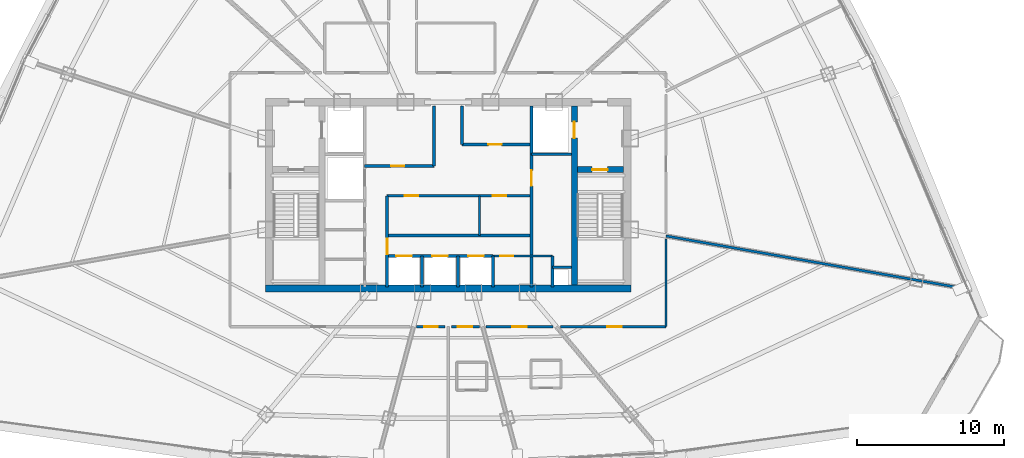
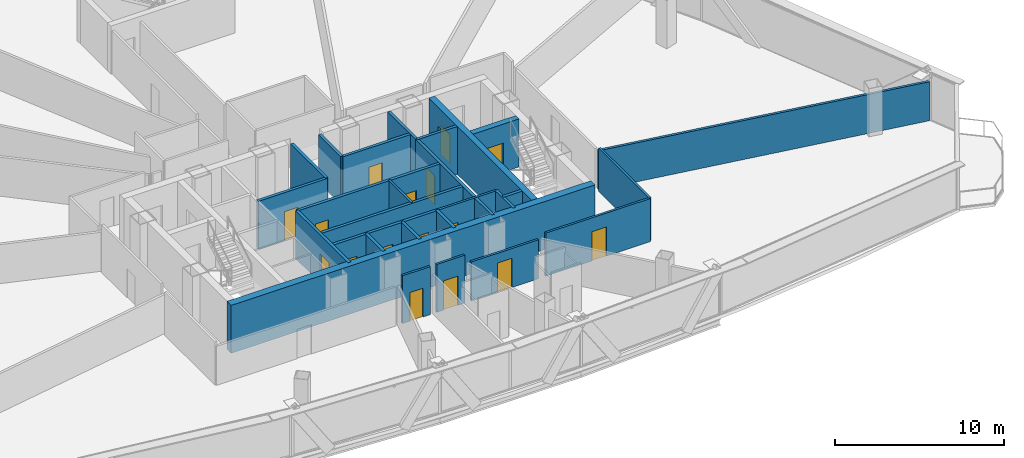
# One storey, part 29 of 35: 27 walls, 16 doors, 16 openings.
"""IFC4 building model written with IfcOpenShell, lengths in metres."""

from ifc_helpers import new_model, si_unit, direction, frame, frame_2d, origin, origin_with_axes, place, context, subcontext, project, spatial, rectangle, extrude, source, transform, mapped, material, layer, layer_set, type_object, element, fill, save


model = new_model("IFC4")

# Units and contexts
model_context = context("Model", 3, precision=1e-05, world=origin(), true_north=direction((0.0, 1.0)))
body_context = subcontext(model_context, "Body", "Model", "MODEL_VIEW")
ifc_project = project(units=[si_unit("LENGTHUNIT", "METRE"), si_unit("AREAUNIT", "SQUARE_METRE"), si_unit("VOLUMEUNIT", "CUBIC_METRE"), si_unit("PLANEANGLEUNIT", "RADIAN"), si_unit("MASSUNIT", "GRAM", prefix="KILO"), si_unit("THERMODYNAMICTEMPERATUREUNIT", "KELVIN"), si_unit("POWERUNIT", "WATT")], contexts=[model_context])

# Site, building, storey
site_placement = place(None, origin())
site = spatial("IfcSite", under=ifc_project, at=site_placement, CompositionType="ELEMENT")
building_placement = place(site_placement, origin())
building = spatial("IfcBuilding", under=site, at=building_placement, Name="Yunzhuo Pagoda Commons", CompositionType="ELEMENT")
storey_placement = place(building_placement, frame((0.0, 0.0, 237.070068359375)))
storey = spatial("IfcBuildingStorey", under=building, at=storey_placement, Name="L59", CompositionType="ELEMENT", Elevation=237.070068359375)

# Walls
ifc_material_1 = material(Name="Concrete C50", Category="concrete")
ifc_layer_1 = layer(ifc_material_1, 0.5)
ifc_layer_set_1 = layer_set([ifc_layer_1], Name="Concrete C50")
wall_type_1 = type_object("IfcWallType", Name="W-C03 Upper Core Shear Wall 500", PredefinedType="SHEAR", material=ifc_layer_set_1)
wall_1_placement = place(storey_placement, frame((35.550048828125, 27.5, 0.0), z_axis=(0.0, 0.0, 1.0), x_axis=(1.0, 0.0, 0.0)))
element("IfcWall", 1, at=wall_1_placement, inside=storey, type_object=wall_type_1, Name="L59 core shear wall S", PredefinedType="SHEAR", context=body_context, shape_type="SweptSolid", body=[
    extrude(rectangle(XDim=24.89990234375, YDim=0.5, at=frame_2d((12.449951171875, 0.0))), origin(), (0.0, 0.0, 1.0), 3.469970703125),
])
ifc_material_2 = material(Name="Gypsum plasterboard on acoustic stud")
ifc_layer_2 = layer(ifc_material_2, 0.14990234375)
ifc_layer_set_2 = layer_set([ifc_layer_2], Name="Gypsum plasterboard on acoustic stud")
wall_type_2 = type_object("IfcWallType", Name="W-COR3 High-Zone Rated Corridor Wall 150", PredefinedType="PARTITIONING", material=ifc_layer_set_2)
wall_2_placement = place(storey_placement, frame((50.14990234375, 31.1201171875, 0.0), z_axis=(0.0, 0.0, 1.0), x_axis=(0.0, 1.0, 0.0)))
element("IfcWall", 2, at=wall_2_placement, inside=storey, type_object=wall_type_2, Name="L59 interior wall IW-L59-FRMD", PredefinedType="PARTITIONING", context=body_context, shape_type="SweptSolid", body=[
    extrude(rectangle(XDim=2.699951171875, YDim=0.14990234375, at=frame_2d((1.35009765625, 0.0))), origin(), (0.0, 0.0, 1.0), 3.469970703125),
])

# Wall, opening, door
wall_3_placement = place(storey_placement, frame((51.050048828125, 29.719970703125, 0.0), z_axis=(0.0, 0.0, 1.0), x_axis=(1.0, 0.0, 0.0)))
wall_3 = element("IfcWall", 3, at=wall_3_placement, inside=storey, type_object=wall_type_2, Name="L59 interior wall IW-L59-CSES", PredefinedType="PARTITIONING", context=body_context, shape_type="SweptSolid", body=[
    extrude(rectangle(XDim=4.070068359375, YDim=0.14990234375, at=frame_2d((2.03515625, 0.0))), origin(), (0.0, 0.0, 1.0), 3.469970703125),
])
opening_1_placement = place(wall_3_placement, frame((0.5, 0.0, 0.0)))
opening_1 = element("IfcOpeningElement", 4, at=opening_1_placement, cuts=wall_3, Name="Opening D-03", PredefinedType="OPENING", context=body_context, shape_type="SweptSolid", body=[
    extrude(rectangle(XDim=0.89990234375, YDim=2.10009765625, at=frame_2d((0.449951171875, 1.050048828125))), frame((0.0, 0.0849609375, 0.0), z_axis=(0.0, -1.0, 0.0), x_axis=(1.0, 0.0, 0.0)), (0.0, 0.0, 1.0), 0.169921875),
])
ifc_material_3 = material(Name="Galvanized fire-resisting metal leaf")
door_type_1 = type_object("IfcDoorType", Name="D-03 Core Service Fire Door 900x2100", OperationType="NOTDEFINED", PredefinedType="DOOR", material=ifc_material_3)
shared_shape_1 = source(origin(), body_context, "Body", "SweptSolid", [
    extrude(rectangle(XDim=0.89990234375, YDim=2.10009765625, at=frame_2d((0.449951171875, 1.050048828125))), frame((0.0, 0.02490234375, 0.0), z_axis=(0.0, -1.0, 0.0), x_axis=(1.0, 0.0, 0.0)), (0.0, 0.0, 1.0), 0.050048828125),
])
door_1_placement = place(opening_1_placement, origin_with_axes())
door_1 = element("IfcDoor", 5, at=door_1_placement, inside=storey, type_object=door_type_1, Name="L59 core pantry door", OperationType="SINGLE_SWING_RIGHT", OverallHeight=2.10009765625, OverallWidth=0.89990234375, PredefinedType="DOOR", context=body_context, shape_type="MappedRepresentation", body=[
    mapped(shared_shape_1, transform((0.0, 0.0, 0.0), scale=1.0)),
])
fill(opening_1, door_1)

# Wall
wall_4_placement = place(storey_placement, frame((62.85009765625, 30.858154296875, 0.0), z_axis=(0.0, 0.0, 1.0), x_axis=(0.0, -1.0, 0.0)))
element("IfcWall", 6, at=wall_4_placement, inside=storey, type_object=wall_type_2, Name="L59 interior wall IW-L59-CWL12", PredefinedType="PARTITIONING", context=body_context, shape_type="SweptSolid", body=[
    extrude(rectangle(XDim=5.958251953125, YDim=0.14990234375, at=frame_2d((2.97900390625, 0.0))), origin(), (0.0, 0.0, 1.0), 3.119873046875),
])

# Wall, opening, door
wall_5_placement = place(storey_placement, frame((62.85009765625, 24.89990234375, 0.0), z_axis=(0.0, 0.0, 1.0), x_axis=(-1.0, 0.0, 0.0)))
wall_5 = element("IfcWall", 7, at=wall_5_placement, inside=storey, type_object=wall_type_2, Name="L59 interior wall IW-L59-CWL13", PredefinedType="PARTITIONING", context=body_context, shape_type="SweptSolid", body=[
    extrude(rectangle(XDim=7.1787109375, YDim=0.14990234375, at=frame_2d((3.58935546875, 0.0))), origin(), (0.0, 0.0, 1.0), 3.119873046875),
])
opening_2_placement = place(wall_5_placement, frame((3.028076171875, 0.0, 0.0)))
opening_2 = element("IfcOpeningElement", 8, at=opening_2_placement, cuts=wall_5, Name="Opening D-08", PredefinedType="OPENING", context=body_context, shape_type="SweptSolid", body=[
    extrude(rectangle(XDim=0.97998046875, YDim=2.1201171875, at=frame_2d((0.489990234375, 1.06005859375))), frame((0.0, 0.0849609375, 0.0), z_axis=(0.0, -1.0, 0.0), x_axis=(1.0, 0.0, 0.0)), (0.0, 0.0, 1.0), 0.169921875),
])
door_type_2 = type_object("IfcDoorType", Name="D-08 High-Zone Suite Entrance Fire Door 980x2120", OperationType="NOTDEFINED", PredefinedType="DOOR", material=ifc_material_3)
shared_shape_2 = source(origin(), body_context, "Body", "SweptSolid", [
    extrude(rectangle(XDim=0.97998046875, YDim=2.1201171875, at=frame_2d((0.489990234375, 1.06005859375))), frame((0.0, 0.02490234375, 0.0), z_axis=(0.0, -1.0, 0.0), x_axis=(1.0, 0.0, 0.0)), (0.0, 0.0, 1.0), 0.050048828125),
])
door_2_placement = place(opening_2_placement, origin_with_axes())
door_2 = element("IfcDoor", 9, at=door_2_placement, inside=storey, type_object=door_type_2, Name="L59 unit 13 entrance door", OperationType="SINGLE_SWING_LEFT", OverallHeight=2.1201171875, OverallWidth=0.97998046875, PredefinedType="DOOR", context=body_context, shape_type="MappedRepresentation", body=[
    mapped(shared_shape_2, transform((0.0, 0.0, 0.0), scale=1.0)),
])
fill(opening_2, door_2)

wall_6_placement = place(storey_placement, frame((55.164306640625, 24.89990234375, 0.0), z_axis=(0.0, 0.0, 1.0), x_axis=(-1.0, 0.0, 0.0)))
wall_6 = element("IfcWall", 10, at=wall_6_placement, inside=storey, type_object=wall_type_2, Name="L59 interior wall IW-L59-CWL14", PredefinedType="PARTITIONING", context=body_context, shape_type="SweptSolid", body=[
    extrude(rectangle(XDim=4.57861328125, YDim=0.14990234375, at=frame_2d((2.289306640625, 0.0))), origin(), (0.0, 0.0, 1.0), 2.81982421875),
])
opening_3_placement = place(wall_6_placement, frame((1.818115234375, 0.0, 0.0)))
opening_3 = element("IfcOpeningElement", 11, at=opening_3_placement, cuts=wall_6, Name="Opening D-08", PredefinedType="OPENING", context=body_context, shape_type="SweptSolid", body=[
    extrude(rectangle(XDim=0.97998046875, YDim=2.1201171875, at=frame_2d((0.489990234375, 1.06005859375))), frame((0.0, 0.0849609375, 0.0), z_axis=(0.0, -1.0, 0.0), x_axis=(1.0, 0.0, 0.0)), (0.0, 0.0, 1.0), 0.169921875),
])
door_3_placement = place(opening_3_placement, origin_with_axes())
door_3 = element("IfcDoor", 12, at=door_3_placement, inside=storey, type_object=door_type_2, Name="L59 unit 12 entrance door", OperationType="SINGLE_SWING_RIGHT", OverallHeight=2.1201171875, OverallWidth=0.97998046875, PredefinedType="DOOR", context=body_context, shape_type="MappedRepresentation", body=[
    mapped(shared_shape_2, transform((0.0, 0.0, 0.0), scale=1.0)),
])
fill(opening_3, door_3)

wall_7_placement = place(storey_placement, frame((50.13818359375, 24.89990234375, 0.0), z_axis=(0.0, 0.0, 1.0), x_axis=(-1.0, 0.0, 0.0)))
wall_7 = element("IfcWall", 13, at=wall_7_placement, inside=storey, type_object=wall_type_2, Name="L59 interior wall IW-L59-CWL15", PredefinedType="PARTITIONING", context=body_context, shape_type="SweptSolid", body=[
    extrude(rectangle(XDim=1.918212890625, YDim=0.14990234375, at=frame_2d((0.958984375, 0.0))), origin(), (0.0, 0.0, 1.0), 3.469970703125),
])
opening_4_placement = place(wall_7_placement, frame((0.484130859375, 0.0, 0.0)))
opening_4 = element("IfcOpeningElement", 14, at=opening_4_placement, cuts=wall_7, Name="Opening D-08", PredefinedType="OPENING", context=body_context, shape_type="SweptSolid", body=[
    extrude(rectangle(XDim=0.97998046875, YDim=2.1201171875, at=frame_2d((0.489990234375, 1.06005859375))), frame((0.0, 0.0849609375, 0.0), z_axis=(0.0, -1.0, 0.0), x_axis=(1.0, 0.0, 0.0)), (0.0, 0.0, 1.0), 0.169921875),
])
door_4_placement = place(opening_4_placement, origin_with_axes())
door_4 = element("IfcDoor", 15, at=door_4_placement, inside=storey, type_object=door_type_2, Name="L59 unit 11 entrance door", OperationType="SINGLE_SWING_LEFT", OverallHeight=2.1201171875, OverallWidth=0.97998046875, PredefinedType="DOOR", context=body_context, shape_type="MappedRepresentation", body=[
    mapped(shared_shape_2, transform((0.0, 0.0, 0.0), scale=1.0)),
])
fill(opening_4, door_4)

wall_8_placement = place(storey_placement, frame((47.780029296875, 24.89990234375, 0.0), z_axis=(0.0, 0.0, 1.0), x_axis=(-1.0, 0.0, 0.0)))
wall_8 = element("IfcWall", 16, at=wall_8_placement, inside=storey, type_object=wall_type_2, Name="L59 interior wall IW-L59-CWL16", PredefinedType="PARTITIONING", context=body_context, shape_type="SweptSolid", body=[
    extrude(rectangle(XDim=1.918212890625, YDim=0.14990234375, at=frame_2d((0.958984375, 0.0))), origin(), (0.0, 0.0, 1.0), 3.469970703125),
])
opening_5_placement = place(wall_8_placement, frame((0.4990234375, 0.0, 0.0)))
opening_5 = element("IfcOpeningElement", 17, at=opening_5_placement, cuts=wall_8, Name="Opening D-12", PredefinedType="OPENING", context=body_context, shape_type="SweptSolid", body=[
    extrude(rectangle(XDim=0.89990234375, YDim=2.080078125, at=frame_2d((0.449951171875, 1.0400390625))), frame((0.0, 0.0849609375, 0.0), z_axis=(0.0, -1.0, 0.0), x_axis=(1.0, 0.0, 0.0)), (0.0, 0.0, 1.0), 0.169921875),
])
ifc_material_4 = material(Name="Powder-coated aluminium and timber acoustic leaf", Category="wood")
door_type_3 = type_object("IfcDoorType", Name="D-12 Quiet Study Interior Door 900x2080", OperationType="NOTDEFINED", PredefinedType="DOOR", material=ifc_material_4)
shared_shape_3 = source(origin(), body_context, "Body", "SweptSolid", [
    extrude(rectangle(XDim=0.89990234375, YDim=2.080078125, at=frame_2d((0.449951171875, 1.0400390625))), frame((0.0, 0.02490234375, 0.0), z_axis=(0.0, -1.0, 0.0), x_axis=(1.0, 0.0, 0.0)), (0.0, 0.0, 1.0), 0.050048828125),
])
door_5_placement = place(opening_5_placement, origin_with_axes())
door_5 = element("IfcDoor", 18, at=door_5_placement, inside=storey, type_object=door_type_3, Name="L59 study lounge 10 door", OperationType="SINGLE_SWING_RIGHT", OverallHeight=2.080078125, OverallWidth=0.89990234375, PredefinedType="DOOR", context=body_context, shape_type="MappedRepresentation", body=[
    mapped(shared_shape_3, transform((0.0, 0.0, 0.0), scale=1.0)),
])
fill(opening_5, door_5)

# Wall
ifc_layer_3 = layer(ifc_material_2, 0.169921875)
ifc_layer_set_3 = layer_set([ifc_layer_3], Name="Gypsum plasterboard on acoustic stud")
wall_type_3 = type_object("IfcWallType", Name="W-PRT4 High-Zone Demising Wall 170", PredefinedType="PARTITIONING", material=ifc_layer_set_3)
wall_9_placement = place(storey_placement, frame((62.85009765625, 31.08154296875, 0.0), z_axis=(0.0, 0.0, 1.0), x_axis=(0.984808138799, -0.17364598975, 0.0)))
element("IfcWall", 19, at=wall_9_placement, inside=storey, type_object=wall_type_3, Name="L59 interior wall IW-L59-RAD13", PredefinedType="PARTITIONING", context=body_context, shape_type="SweptSolid", body=[
    extrude(rectangle(XDim=20.889892578125, YDim=0.169921875, at=frame_2d((10.44482421875, 0.0))), origin(), (0.0, 0.0, 1.0), 2.81982421875),
])

# Wall, opening, door
ifc_material_5 = material(Name="Concrete C60", Category="concrete")
ifc_layer_4 = layer(ifc_material_5, 0.39990234375)
ifc_layer_set_4 = layer_set([ifc_layer_4], Name="Concrete C60")
wall_type_4 = type_object("IfcWallType", Name="W-S01 Internal Core Shear Web 400", PredefinedType="SHEAR", material=ifc_layer_set_4)
wall_10_placement = place(storey_placement, frame((56.60009765625, 27.75, 0.0), z_axis=(0.0, 0.0, 1.0), x_axis=(0.0, 1.0, 0.0)))
wall_10 = element("IfcWall", 20, at=wall_10_placement, inside=storey, type_object=wall_type_4, Name="L59 core shear wall WEBE", PredefinedType="SHEAR", context=body_context, shape_type="SweptSolid", body=[
    extrude(rectangle(XDim=12.199951171875, YDim=0.39990234375, at=frame_2d((6.10009765625, 0.0))), origin(), (0.0, 0.0, 1.0), 3.469970703125),
])
opening_6_placement = place(wall_10_placement, frame((10.0, 0.0, 0.0)))
opening_6 = element("IfcOpeningElement", 21, at=opening_6_placement, cuts=wall_10, Name="Opening LD-01", PredefinedType="OPENING", context=body_context, shape_type="SweptSolid", body=[
    extrude(rectangle(XDim=1.10009765625, YDim=2.10009765625, at=frame_2d((0.550048828125, 1.050048828125))), frame((0.0, 0.2099609375, 0.0), z_axis=(0.0, -1.0, 0.0), x_axis=(1.0, 0.0, 0.0)), (0.0, 0.0, 1.0), 0.419921875),
])
door_type_4 = type_object("IfcDoorType", Name="LD-01 Firefighting Lift Landing Door 1100x2100", OperationType="DOUBLE_DOOR_SLIDING", PredefinedType="DOOR", material=ifc_material_3)
shared_shape_4 = source(origin(), body_context, "Body", "SweptSolid", [
    extrude(rectangle(XDim=1.10009765625, YDim=2.10009765625, at=frame_2d((0.550048828125, 1.050048828125))), frame((0.0, 0.02490234375, 0.0), z_axis=(0.0, -1.0, 0.0), x_axis=(1.0, 0.0, 0.0)), (0.0, 0.0, 1.0), 0.050048828125),
])
door_6_placement = place(opening_6_placement, origin_with_axes())
door_6 = element("IfcDoor", 22, at=door_6_placement, inside=storey, type_object=door_type_4, Name="L59 Firefighting lift FL-2 landing door", OperationType="DOUBLE_DOOR_SLIDING", OverallHeight=2.10009765625, OverallWidth=1.10009765625, PredefinedType="DOOR", context=body_context, shape_type="MappedRepresentation", body=[
    mapped(shared_shape_4, transform((0.0, 0.0, 0.0), scale=1.0)),
])
fill(opening_6, door_6)

wall_11_placement = place(storey_placement, frame((56.800048828125, 35.60009765625, 0.0), z_axis=(0.0, 0.0, 1.0), x_axis=(1.0, 0.0, 0.0)))
wall_11 = element("IfcWall", 23, at=wall_11_placement, inside=storey, type_object=wall_type_4, Name="L59 core shear wall STE", PredefinedType="SHEAR", context=body_context, shape_type="SweptSolid", body=[
    extrude(rectangle(XDim=3.14990234375, YDim=0.39990234375, at=frame_2d((1.574951171875, 0.0))), origin(), (0.0, 0.0, 1.0), 3.469970703125),
])
opening_7_placement = place(wall_11_placement, frame((1.02001953125, 0.0, 0.0)))
opening_7 = element("IfcOpeningElement", 24, at=opening_7_placement, cuts=wall_11, Name="Opening D-01", PredefinedType="OPENING", context=body_context, shape_type="SweptSolid", body=[
    extrude(rectangle(XDim=1.050048828125, YDim=2.10009765625, at=frame_2d((0.52490234375, 1.050048828125))), frame((0.0, 0.2099609375, 0.0), z_axis=(0.0, -1.0, 0.0), x_axis=(1.0, 0.0, 0.0)), (0.0, 0.0, 1.0), 0.419921875),
])
door_type_5 = type_object("IfcDoorType", Name="D-01 Smokeproof Stair Fire Door 1050x2100", OperationType="NOTDEFINED", PredefinedType="DOOR", material=ifc_material_3)
shared_shape_5 = source(origin(), body_context, "Body", "SweptSolid", [
    extrude(rectangle(XDim=1.050048828125, YDim=2.10009765625, at=frame_2d((0.52490234375, 1.050048828125))), frame((0.0, 0.02490234375, 0.0), z_axis=(0.0, -1.0, 0.0), x_axis=(1.0, 0.0, 0.0)), (0.0, 0.0, 1.0), 0.050048828125),
])
door_7_placement = place(opening_7_placement, frame((1.050048828125, 0.0, 0.0), z_axis=(0.0, 0.0, 1.0), x_axis=(-1.0, 0.0, 0.0)))
door_7 = element("IfcDoor", 25, at=door_7_placement, inside=storey, type_object=door_type_5, Name="L59 Stair ST2 fire door", OperationType="SINGLE_SWING_RIGHT", OverallHeight=2.10009765625, OverallWidth=1.050048828125, PredefinedType="DOOR", context=body_context, shape_type="MappedRepresentation", body=[
    mapped(shared_shape_5, transform((0.0, 0.0, 0.0), scale=1.0)),
])
fill(opening_7, door_7)

# Walls
ifc_material_6 = material(Name="Concrete C40", Category="concrete")
ifc_layer_5 = layer(ifc_material_6, 0.199951171875)
ifc_layer_set_5 = layer_set([ifc_layer_5], Name="Concrete C40")
wall_type_5 = type_object("IfcWallType", Name="W-SHF Shaft & Stair Enclosure Wall 200", PredefinedType="SOLIDWALL", material=ifc_layer_set_5)
wall_12_placement = place(storey_placement, frame((53.679931640625, 36.64990234375, 0.0), z_axis=(0.0, 0.0, 1.0), x_axis=(0.0, 1.0, 0.0)))
element("IfcWall", 26, at=wall_12_placement, inside=storey, type_object=wall_type_5, Name="L59 interior wall IW-L59-FL2W", PredefinedType="SOLIDWALL", context=body_context, shape_type="SweptSolid", body=[
    extrude(rectangle(XDim=3.300048828125, YDim=0.199951171875, at=frame_2d((1.64990234375, 0.0))), origin(), (0.0, 0.0, 1.0), 3.469970703125),
])
wall_13_placement = place(storey_placement, frame((53.679931640625, 36.64990234375, 0.0), z_axis=(0.0, 0.0, 1.0), x_axis=(1.0, 0.0, 0.0)))
element("IfcWall", 27, at=wall_13_placement, inside=storey, type_object=wall_type_5, Name="L59 interior wall IW-L59-FL2S", PredefinedType="SOLIDWALL", context=body_context, shape_type="SweptSolid", body=[
    extrude(rectangle(XDim=2.719970703125, YDim=0.199951171875, at=frame_2d((1.35986328125, 0.0))), origin(), (0.0, 0.0, 1.0), 3.469970703125),
])

# Wall, opening, door
wall_14_placement = place(storey_placement, frame((42.320068359375, 35.85009765625, 0.0), z_axis=(0.0, 0.0, 1.0), x_axis=(1.0, 0.0, 0.0)))
wall_14 = element("IfcWall", 28, at=wall_14_placement, inside=storey, type_object=wall_type_5, Name="L59 interior wall IW-L59-LBNW", PredefinedType="SOLIDWALL", context=body_context, shape_type="SweptSolid", body=[
    extrude(rectangle(XDim=4.72998046875, YDim=0.199951171875, at=frame_2d((2.364990234375, 0.0))), origin(), (0.0, 0.0, 1.0), 3.469970703125),
])
opening_8_placement = place(wall_14_placement, frame((1.800048828125, 0.0, 0.0)))
opening_8 = element("IfcOpeningElement", 29, at=opening_8_placement, cuts=wall_14, Name="Opening D-03", PredefinedType="OPENING", context=body_context, shape_type="SweptSolid", body=[
    extrude(rectangle(XDim=0.89990234375, YDim=2.10009765625, at=frame_2d((0.449951171875, 1.050048828125))), frame((0.0, 0.10986328125, 0.0), z_axis=(0.0, -1.0, 0.0), x_axis=(1.0, 0.0, 0.0)), (0.0, 0.0, 1.0), 0.219970703125),
])
door_8_placement = place(opening_8_placement, frame((0.89990234375, 0.0, 0.0), z_axis=(0.0, 0.0, 1.0), x_axis=(-1.0, 0.0, 0.0)))
door_8 = element("IfcDoor", 30, at=door_8_placement, inside=storey, type_object=door_type_1, Name="L59 core west store door", OperationType="SINGLE_SWING_LEFT", OverallHeight=2.10009765625, OverallWidth=0.89990234375, PredefinedType="DOOR", context=body_context, shape_type="MappedRepresentation", body=[
    mapped(shared_shape_1, transform((0.0, 0.0, 0.0), scale=1.0)),
])
fill(opening_8, door_8)

wall_15_placement = place(storey_placement, frame((48.949951171875, 37.320068359375, 0.0), z_axis=(0.0, 0.0, 1.0), x_axis=(1.0, 0.0, 0.0)))
wall_15 = element("IfcWall", 31, at=wall_15_placement, inside=storey, type_object=wall_type_5, Name="L59 interior wall IW-L59-LBNE", PredefinedType="SOLIDWALL", context=body_context, shape_type="SweptSolid", body=[
    extrude(rectangle(XDim=4.72998046875, YDim=0.199951171875, at=frame_2d((2.364990234375, 0.0))), origin(), (0.0, 0.0, 1.0), 3.469970703125),
])
opening_9_placement = place(wall_15_placement, frame((1.800048828125, 0.0, 0.0)))
opening_9 = element("IfcOpeningElement", 32, at=opening_9_placement, cuts=wall_15, Name="Opening D-03", PredefinedType="OPENING", context=body_context, shape_type="SweptSolid", body=[
    extrude(rectangle(XDim=0.89990234375, YDim=2.10009765625, at=frame_2d((0.449951171875, 1.050048828125))), frame((0.0, 0.10986328125, 0.0), z_axis=(0.0, -1.0, 0.0), x_axis=(1.0, 0.0, 0.0)), (0.0, 0.0, 1.0), 0.219970703125),
])
door_9_placement = place(opening_9_placement, frame((0.89990234375, 0.0, 0.0), z_axis=(0.0, 0.0, 1.0), x_axis=(-1.0, 0.0, 0.0)))
door_9 = element("IfcDoor", 33, at=door_9_placement, inside=storey, type_object=door_type_1, Name="L59 core east store door", OperationType="SINGLE_SWING_RIGHT", OverallHeight=2.10009765625, OverallWidth=0.89990234375, PredefinedType="DOOR", context=body_context, shape_type="MappedRepresentation", body=[
    mapped(shared_shape_1, transform((0.0, 0.0, 0.0), scale=1.0)),
])
fill(opening_9, door_9)

# Walls
wall_16_placement = place(storey_placement, frame((47.050048828125, 35.85009765625, 0.0), z_axis=(0.0, 0.0, 1.0), x_axis=(0.0, 1.0, 0.0)))
element("IfcWall", 34, at=wall_16_placement, inside=storey, type_object=wall_type_5, Name="L59 interior wall IW-L59-THRW", PredefinedType="SOLIDWALL", context=body_context, shape_type="SweptSolid", body=[
    extrude(rectangle(XDim=4.099853515625, YDim=0.199951171875, at=frame_2d((2.0498046875, 0.0))), origin(), (0.0, 0.0, 1.0), 3.469970703125),
])
wall_17_placement = place(storey_placement, frame((48.949951171875, 37.320068359375, 0.0), z_axis=(0.0, 0.0, 1.0), x_axis=(0.0, 1.0, 0.0)))
element("IfcWall", 35, at=wall_17_placement, inside=storey, type_object=wall_type_5, Name="L59 interior wall IW-L59-THRE", PredefinedType="SOLIDWALL", context=body_context, shape_type="SweptSolid", body=[
    extrude(rectangle(XDim=2.6298828125, YDim=0.199951171875, at=frame_2d((1.31494140625, 0.0))), origin(), (0.0, 0.0, 1.0), 3.469970703125),
])

# Wall, openings, doors
wall_18_placement = place(storey_placement, frame((43.85009765625, 33.820068359375, 0.0), z_axis=(0.0, 0.0, 1.0), x_axis=(1.0, 0.0, 0.0)))
wall_18 = element("IfcWall", 36, at=wall_18_placement, inside=storey, type_object=wall_type_5, Name="L59 interior wall IW-L59-MLBS", PredefinedType="SOLIDWALL", context=body_context, shape_type="SweptSolid", body=[
    extrude(rectangle(XDim=9.829833984375, YDim=0.199951171875, at=frame_2d((4.9150390625, 0.0))), origin(), (0.0, 0.0, 1.0), 3.469970703125),
])
opening_10_placement = place(wall_18_placement, frame((1.199951171875, 0.0, 0.0)))
opening_10 = element("IfcOpeningElement", 37, at=opening_10_placement, cuts=wall_18, Name="Opening D-03", PredefinedType="OPENING", context=body_context, shape_type="SweptSolid", body=[
    extrude(rectangle(XDim=0.89990234375, YDim=2.10009765625, at=frame_2d((0.449951171875, 1.050048828125))), frame((0.0, 0.10986328125, 0.0), z_axis=(0.0, -1.0, 0.0), x_axis=(1.0, 0.0, 0.0)), (0.0, 0.0, 1.0), 0.219970703125),
])
opening_11_placement = place(wall_18_placement, frame((7.199951171875, 0.0, 0.0)))
opening_11 = element("IfcOpeningElement", 38, at=opening_11_placement, cuts=wall_18, Name="Opening D-03", PredefinedType="OPENING", context=body_context, shape_type="SweptSolid", body=[
    extrude(rectangle(XDim=0.89990234375, YDim=2.10009765625, at=frame_2d((0.449951171875, 1.050048828125))), frame((0.0, 0.10986328125, 0.0), z_axis=(0.0, -1.0, 0.0), x_axis=(1.0, 0.0, 0.0)), (0.0, 0.0, 1.0), 0.219970703125),
])
door_10_placement = place(opening_10_placement, origin_with_axes())
door_10 = element("IfcDoor", 39, at=door_10_placement, inside=storey, type_object=door_type_1, Name="L59 core mid-west store door", OperationType="SINGLE_SWING_LEFT", OverallHeight=2.10009765625, OverallWidth=0.89990234375, PredefinedType="DOOR", context=body_context, shape_type="MappedRepresentation", body=[
    mapped(shared_shape_1, transform((0.0, 0.0, 0.0), scale=1.0)),
])
fill(opening_10, door_10)
door_11_placement = place(opening_11_placement, origin_with_axes())
door_11 = element("IfcDoor", 40, at=door_11_placement, inside=storey, type_object=door_type_1, Name="L59 core mid-east store door", OperationType="SINGLE_SWING_RIGHT", OverallHeight=2.10009765625, OverallWidth=0.89990234375, PredefinedType="DOOR", context=body_context, shape_type="MappedRepresentation", body=[
    mapped(shared_shape_1, transform((0.0, 0.0, 0.0), scale=1.0)),
])
fill(opening_11, door_11)

# Wall, opening, door
wall_19_placement = place(storey_placement, frame((43.85009765625, 27.60009765625, 0.0), z_axis=(0.0, 0.0, 1.0), x_axis=(0.0, 1.0, 0.0)))
wall_19 = element("IfcWall", 41, at=wall_19_placement, inside=storey, type_object=wall_type_5, Name="L59 interior wall IW-L59-PLMW", PredefinedType="SOLIDWALL", context=body_context, shape_type="SweptSolid", body=[
    extrude(rectangle(XDim=6.219970703125, YDim=0.199951171875, at=frame_2d((3.10986328125, 0.0))), origin(), (0.0, 0.0, 1.0), 3.469970703125),
])
opening_12_placement = place(wall_19_placement, frame((2.25, 0.0, 0.0)))
opening_12 = element("IfcOpeningElement", 42, at=opening_12_placement, cuts=wall_19, Name="Opening D-02", PredefinedType="OPENING", context=body_context, shape_type="SweptSolid", body=[
    extrude(rectangle(XDim=1.050048828125, YDim=2.10009765625, at=frame_2d((0.52490234375, 1.050048828125))), frame((0.0, 0.10986328125, 0.0), z_axis=(0.0, -1.0, 0.0), x_axis=(1.0, 0.0, 0.0)), (0.0, 0.0, 1.0), 0.219970703125),
])
door_type_6 = type_object("IfcDoorType", Name="D-02 Firefighting Lobby & Refuge Fire Door 1050x2100", OperationType="NOTDEFINED", PredefinedType="DOOR", material=ifc_material_3)
door_12_placement = place(opening_12_placement, frame((1.050048828125, 0.0, 0.0), z_axis=(0.0, 0.0, 1.0), x_axis=(-1.0, 0.0, 0.0)))
door_12 = element("IfcDoor", 43, at=door_12_placement, inside=storey, type_object=door_type_6, Name="L59 High-bank hall west door", OperationType="SINGLE_SWING_LEFT", OverallHeight=2.10009765625, OverallWidth=1.050048828125, PredefinedType="DOOR", context=body_context, shape_type="MappedRepresentation", body=[
    mapped(shared_shape_5, transform((0.0, 0.0, 0.0), scale=1.0)),
])
fill(opening_12, door_12)

wall_20_placement = place(storey_placement, frame((53.679931640625, 27.60009765625, 0.0), z_axis=(0.0, 0.0, 1.0), x_axis=(0.0, 1.0, 0.0)))
wall_20 = element("IfcWall", 44, at=wall_20_placement, inside=storey, type_object=wall_type_5, Name="L59 interior wall IW-L59-PLME", PredefinedType="SOLIDWALL", context=body_context, shape_type="SweptSolid", body=[
    extrude(rectangle(XDim=9.0498046875, YDim=0.199951171875, at=frame_2d((4.52490234375, 0.0))), origin(), (0.0, 0.0, 1.0), 3.469970703125),
])
opening_13_placement = place(wall_20_placement, frame((6.89990234375, 0.0, 0.0)))
opening_13 = element("IfcOpeningElement", 45, at=opening_13_placement, cuts=wall_20, Name="Opening D-02", PredefinedType="OPENING", context=body_context, shape_type="SweptSolid", body=[
    extrude(rectangle(XDim=1.050048828125, YDim=2.10009765625, at=frame_2d((0.52490234375, 1.050048828125))), frame((0.0, 0.10986328125, 0.0), z_axis=(0.0, -1.0, 0.0), x_axis=(1.0, 0.0, 0.0)), (0.0, 0.0, 1.0), 0.219970703125),
])
door_13_placement = place(opening_13_placement, origin_with_axes())
door_13 = element("IfcDoor", 46, at=door_13_placement, inside=storey, type_object=door_type_6, Name="L59 High-bank lift hall door", OperationType="SINGLE_SWING_RIGHT", OverallHeight=2.10009765625, OverallWidth=1.050048828125, PredefinedType="DOOR", context=body_context, shape_type="MappedRepresentation", body=[
    mapped(shared_shape_5, transform((0.0, 0.0, 0.0), scale=1.0)),
])
fill(opening_13, door_13)

# Wall, openings, doors
wall_21_placement = place(storey_placement, frame((43.85009765625, 29.719970703125, 0.0), z_axis=(0.0, 0.0, 1.0), x_axis=(1.0, 0.0, 0.0)))
wall_21 = element("IfcWall", 47, at=wall_21_placement, inside=storey, type_object=wall_type_5, Name="L59 interior wall IW-L59-PLHN", PredefinedType="SOLIDWALL", context=body_context, shape_type="SweptSolid", body=[
    extrude(rectangle(XDim=7.199951171875, YDim=0.199951171875, at=frame_2d((3.60009765625, 0.0))), origin(), (0.0, 0.0, 1.0), 3.469970703125),
])
opening_14_placement = place(wall_21_placement, frame((0.625, 0.0, 0.0)))
opening_14 = element("IfcOpeningElement", 48, at=opening_14_placement, cuts=wall_21, Name="Opening LD-02", PredefinedType="OPENING", context=body_context, shape_type="SweptSolid", body=[
    extrude(rectangle(XDim=1.050048828125, YDim=2.10009765625, at=frame_2d((0.52490234375, 1.050048828125))), frame((0.0, 0.10986328125, 0.0), z_axis=(0.0, -1.0, 0.0), x_axis=(1.0, 0.0, 0.0)), (0.0, 0.0, 1.0), 0.219970703125),
])
opening_15_placement = place(wall_21_placement, frame((3.074951171875, 0.0, 0.0)))
opening_15 = element("IfcOpeningElement", 49, at=opening_15_placement, cuts=wall_21, Name="Opening LD-02", PredefinedType="OPENING", context=body_context, shape_type="SweptSolid", body=[
    extrude(rectangle(XDim=1.050048828125, YDim=2.10009765625, at=frame_2d((0.52490234375, 1.050048828125))), frame((0.0, 0.10986328125, 0.0), z_axis=(0.0, -1.0, 0.0), x_axis=(1.0, 0.0, 0.0)), (0.0, 0.0, 1.0), 0.219970703125),
])
opening_16_placement = place(wall_21_placement, frame((5.52490234375, 0.0, 0.0)))
opening_16 = element("IfcOpeningElement", 50, at=opening_16_placement, cuts=wall_21, Name="Opening LD-02", PredefinedType="OPENING", context=body_context, shape_type="SweptSolid", body=[
    extrude(rectangle(XDim=1.050048828125, YDim=2.10009765625, at=frame_2d((0.52490234375, 1.050048828125))), frame((0.0, 0.10986328125, 0.0), z_axis=(0.0, -1.0, 0.0), x_axis=(1.0, 0.0, 0.0)), (0.0, 0.0, 1.0), 0.219970703125),
])
door_type_7 = type_object("IfcDoorType", Name="LD-02 Passenger Lift Landing Door 1050x2100", OperationType="DOUBLE_DOOR_SLIDING", PredefinedType="DOOR", material=ifc_material_3)
door_14_placement = place(opening_14_placement, origin_with_axes())
door_14 = element("IfcDoor", 51, at=door_14_placement, inside=storey, type_object=door_type_7, Name="L59 Passenger lift PL-H1 landing door", OperationType="DOUBLE_DOOR_SLIDING", OverallHeight=2.10009765625, OverallWidth=1.050048828125, PredefinedType="DOOR", context=body_context, shape_type="MappedRepresentation", body=[
    mapped(shared_shape_5, transform((0.0, 0.0, 0.0), scale=1.0)),
])
fill(opening_14, door_14)
door_15_placement = place(opening_15_placement, origin_with_axes())
door_15 = element("IfcDoor", 52, at=door_15_placement, inside=storey, type_object=door_type_7, Name="L59 Passenger lift PL-H2 landing door", OperationType="DOUBLE_DOOR_SLIDING", OverallHeight=2.10009765625, OverallWidth=1.050048828125, PredefinedType="DOOR", context=body_context, shape_type="MappedRepresentation", body=[
    mapped(shared_shape_5, transform((0.0, 0.0, 0.0), scale=1.0)),
])
fill(opening_15, door_15)
door_16_placement = place(opening_16_placement, origin_with_axes())
door_16 = element("IfcDoor", 53, at=door_16_placement, inside=storey, type_object=door_type_7, Name="L59 Passenger lift PL-H3 landing door", OperationType="DOUBLE_DOOR_SLIDING", OverallHeight=2.10009765625, OverallWidth=1.050048828125, PredefinedType="DOOR", context=body_context, shape_type="MappedRepresentation", body=[
    mapped(shared_shape_5, transform((0.0, 0.0, 0.0), scale=1.0)),
])
fill(opening_16, door_16)

# Walls
wall_22_placement = place(storey_placement, frame((51.050048828125, 27.60009765625, 0.0), z_axis=(0.0, 0.0, 1.0), x_axis=(0.0, 1.0, 0.0)))
element("IfcWall", 54, at=wall_22_placement, inside=storey, type_object=wall_type_5, Name="L59 interior wall IW-L59-PLHE", PredefinedType="SOLIDWALL", context=body_context, shape_type="SweptSolid", body=[
    extrude(rectangle(XDim=2.119873046875, YDim=0.199951171875, at=frame_2d((1.06005859375, 0.0))), origin(), (0.0, 0.0, 1.0), 3.469970703125),
])
wall_23_placement = place(storey_placement, frame((43.85009765625, 31.1201171875, 0.0), z_axis=(0.0, 0.0, 1.0), x_axis=(1.0, 0.0, 0.0)))
element("IfcWall", 55, at=wall_23_placement, inside=storey, type_object=wall_type_5, Name="L59 interior wall IW-L59-PLMS2", PredefinedType="SOLIDWALL", context=body_context, shape_type="SweptSolid", body=[
    extrude(rectangle(XDim=9.829833984375, YDim=0.199951171875, at=frame_2d((4.9150390625, 0.0))), origin(), (0.0, 0.0, 1.0), 3.469970703125),
])
for number, where, z_axis, x_axis, name in (
    (56, (46.22509765625, 27.60009765625, 0.0), (0.0, 0.0, 1.0), (0.0, 1.0, 0.0), "L59 interior wall IW-L59-PLHD1"),
    (57, (48.675048828125, 27.60009765625, 0.0), (0.0, 0.0, 1.0), (0.0, 1.0, 0.0), "L59 interior wall IW-L59-PLHD2"),
    (58, (55.1201171875, 27.60009765625, 0.0), (0.0, 0.0, 1.0), (0.0, 1.0, 0.0), "L59 interior wall IW-L59-RSHFW"),
):
    element("IfcWall", number, at=place(storey_placement, frame(where, z_axis=z_axis, x_axis=x_axis)), inside=storey, type_object=wall_type_5, Name=name, PredefinedType="SOLIDWALL", context=body_context, shape_type="SweptSolid", body=[
        extrude(rectangle(XDim=2.119873046875, YDim=0.199951171875, at=frame_2d((1.06005859375, 0.0))), origin(), (0.0, 0.0, 1.0), 3.469970703125),
    ])
wall_24_placement = place(storey_placement, frame((55.1201171875, 28.949951171875, 0.0), z_axis=(0.0, 0.0, 1.0), x_axis=(1.0, 0.0, 0.0)))
element("IfcWall", 59, at=wall_24_placement, inside=storey, type_object=wall_type_5, Name="L59 interior wall IW-L59-RSHFN", PredefinedType="SOLIDWALL", context=body_context, shape_type="SweptSolid", body=[
    extrude(rectangle(XDim=1.27978515625, YDim=0.199951171875, at=frame_2d((0.639892578125, 0.0))), origin(), (0.0, 0.0, 1.0), 3.469970703125),
])

save(model, "model.ifc")
